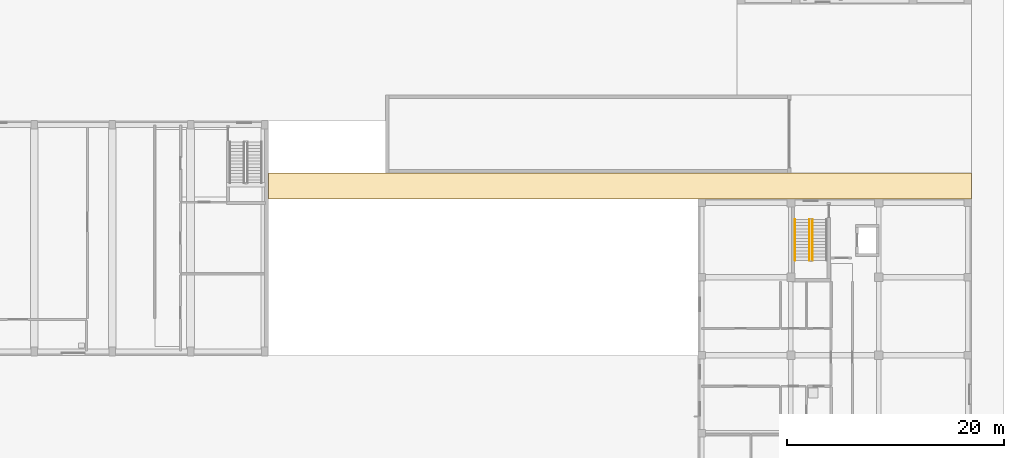
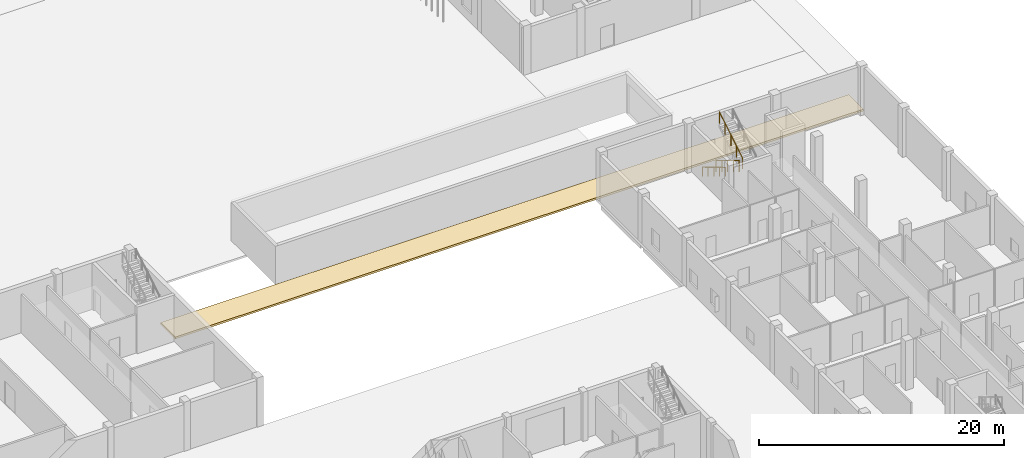
# One storey, part 78 of 85: 3 railings, 1 covering.
"""IFC4 building model written with IfcOpenShell, lengths in metres."""

from ifc_helpers import new_model, si_unit, derived_unit, direction, frame, origin, origin_2d, place, context, subcontext, project, spatial, polyline, circle, outline, extrude, material, layer, layer_set, type_object, element, save


model = new_model("IFC4")

# Units and contexts
model_context = context("Model", 3, precision=1e-05, world=origin(), true_north=direction((0.0, 1.0)))
body_context = subcontext(model_context, "Body", "Model", "MODEL_VIEW")
ifc_project = project(units=[si_unit("LENGTHUNIT", "METRE"), si_unit("AREAUNIT", "SQUARE_METRE"), si_unit("VOLUMEUNIT", "CUBIC_METRE"), si_unit("PLANEANGLEUNIT", "RADIAN"), si_unit("MASSUNIT", "GRAM", prefix="KILO"), derived_unit("THERMALTRANSMITTANCEUNIT", [(si_unit("MASSUNIT", "GRAM", prefix="KILO"), 1), (si_unit("TIMEUNIT", "SECOND"), -3), (si_unit("THERMODYNAMICTEMPERATUREUNIT", "KELVIN"), -1)])], contexts=[model_context])

# Site, building, storey
site_placement = place(None, origin())
site = spatial("IfcSite", under=ifc_project, at=site_placement, CompositionType="ELEMENT")
building_placement = place(site_placement, origin())
building = spatial("IfcBuilding", under=site, at=building_placement, Name="Ochrekiln Boulevard Commons", CompositionType="ELEMENT")
storey_placement = place(building_placement, origin())
storey = spatial("IfcBuildingStorey", under=building, at=storey_placement, Name="L00", CompositionType="ELEMENT", Elevation=0.0)

# Covering
ifc_material_1 = material(Name="Precast concrete C40/50", Category="concrete")
ifc_layer = layer(ifc_material_1, 0.18994140625)
ifc_layer_set = layer_set([ifc_layer], Name="Precast concrete C40/50")
covering_type = type_object("IfcCoveringType", Name="COV-PAV-190", PredefinedType="FLOORING", material=ifc_layer_set)
covering_placement = place(storey_placement, frame((0.0, 0.0, -0.18994140625)))
element("IfcCovering", 1, at=covering_placement, inside=storey, type_object=covering_type, Name="South-East Courtyard Walkway Paving Slab", PredefinedType="FLOORING", context=body_context, shape_type="SweptSolid", body=[
    extrude(outline(polyline([(108.0, 50.39990234375), (172.800048828125, 50.39990234375), (172.800048828125, 52.800048828125), (108.0, 52.800048828125), (108.0, 50.39990234375)])), origin(), (0.0, 0.0, 1.0), 0.18994140625),
])

# Railings
ifc_material_2 = material(Name="Brushed stainless steel 316 tubular railing", Category="steel")
railing_type_1 = type_object("IfcRailingType", Name="RLG-HDR-900", PredefinedType="HANDRAIL", material=ifc_material_2)
railing_1_placement = place(storey_placement, frame((156.550048828125, 48.530029296875, 0.175048828125)))
element("IfcRailing", 2, at=railing_1_placement, inside=storey, type_object=railing_type_1, Name="L00 ST-C2 stair handrail 1", PredefinedType="HANDRAIL", context=body_context, shape_type="SweptSolid", body=[
    extrude(circle(Radius=0.02392578125, at=origin_2d()), frame((0.0, 0.0, 0.8759765625), z_axis=(0.0, -0.856198655849, 0.51664674752), x_axis=(1.0, 0.0, 0.0)), (0.0, 0.0, 1.0), 4.4033203125),
    extrude(circle(Radius=0.02099609375, at=origin_2d()), origin(), (0.0, 0.0, 1.0), 0.851806640625),
    extrude(circle(Radius=0.02099609375, at=origin_2d()), frame((0.0, -0.9423828125, 0.56884765625)), (0.0, 0.0, 1.0), 0.851806640625),
    extrude(circle(Radius=0.02099609375, at=origin_2d()), frame((0.0, -1.885009765625, 1.137451171875)), (0.0, 0.0, 1.0), 0.851806640625),
    extrude(circle(Radius=0.02099609375, at=origin_2d()), frame((0.0, -2.82763671875, 1.7060546875)), (0.0, 0.0, 1.0), 0.851806640625),
    extrude(circle(Radius=0.02099609375, at=origin_2d()), frame((0.0, -3.77001953125, 2.27490234375)), (0.0, 0.0, 1.0), 0.851806640625),
])
railing_type_2 = type_object("IfcRailingType", Name="RLG-STR-1120", PredefinedType="BALUSTRADE", material=ifc_material_2)
railing_2_placement = place(storey_placement, frame((157.85009765625, 48.530029296875, 0.175048828125)))
element("IfcRailing", 3, at=railing_2_placement, inside=storey, type_object=railing_type_2, Name="L00 ST-C2 stair guard 1", PredefinedType="BALUSTRADE", context=body_context, shape_type="SweptSolid", body=[
    extrude(circle(Radius=0.02392578125, at=origin_2d()), frame((0.0, 0.0, 1.09619140625), z_axis=(0.0, -0.856198655849, 0.51664674752), x_axis=(1.0, 0.0, 0.0)), (0.0, 0.0, 1.0), 4.4033203125),
    extrude(circle(Radius=0.02099609375, at=origin_2d()), origin(), (0.0, 0.0, 1.0), 1.072021484375),
    extrude(circle(Radius=0.02099609375, at=origin_2d()), frame((0.0, -0.9423828125, 0.56884765625)), (0.0, 0.0, 1.0), 1.072021484375),
    extrude(circle(Radius=0.02099609375, at=origin_2d()), frame((0.0, -1.885009765625, 1.137451171875)), (0.0, 0.0, 1.0), 1.072021484375),
    extrude(circle(Radius=0.02099609375, at=origin_2d()), frame((0.0, -2.82763671875, 1.7060546875)), (0.0, 0.0, 1.0), 1.072021484375),
    extrude(circle(Radius=0.02099609375, at=origin_2d()), frame((0.0, -3.77001953125, 2.27490234375)), (0.0, 0.0, 1.0), 1.072021484375),
])
railing_3_placement = place(storey_placement, frame((158.14990234375, 44.760009765625, 2.625)))
element("IfcRailing", 4, at=railing_3_placement, inside=storey, type_object=railing_type_2, Name="L00 ST-C2 stair guard 3", PredefinedType="BALUSTRADE", context=body_context, shape_type="SweptSolid", body=[
    extrude(circle(Radius=0.02392578125, at=origin_2d()), frame((0.0, 0.0, 1.09619140625), z_axis=(0.0, 0.856198655849, 0.51664674752), x_axis=(-1.0, 0.0, 0.0)), (0.0, 0.0, 1.0), 4.4033203125),
    extrude(circle(Radius=0.02099609375, at=origin_2d()), origin(), (0.0, 0.0, 1.0), 1.072021484375),
    extrude(circle(Radius=0.02099609375, at=origin_2d()), frame((0.0, 0.9423828125, 0.56884765625)), (0.0, 0.0, 1.0), 1.072021484375),
    extrude(circle(Radius=0.02099609375, at=origin_2d()), frame((0.0, 1.885009765625, 1.137451171875)), (0.0, 0.0, 1.0), 1.072021484375),
    extrude(circle(Radius=0.02099609375, at=origin_2d()), frame((0.0, 2.82763671875, 1.7060546875)), (0.0, 0.0, 1.0), 1.072021484375),
    extrude(circle(Radius=0.02099609375, at=origin_2d()), frame((0.0, 3.77001953125, 2.27490234375)), (0.0, 0.0, 1.0), 1.072021484375),
])

save(model, "model.ifc")
